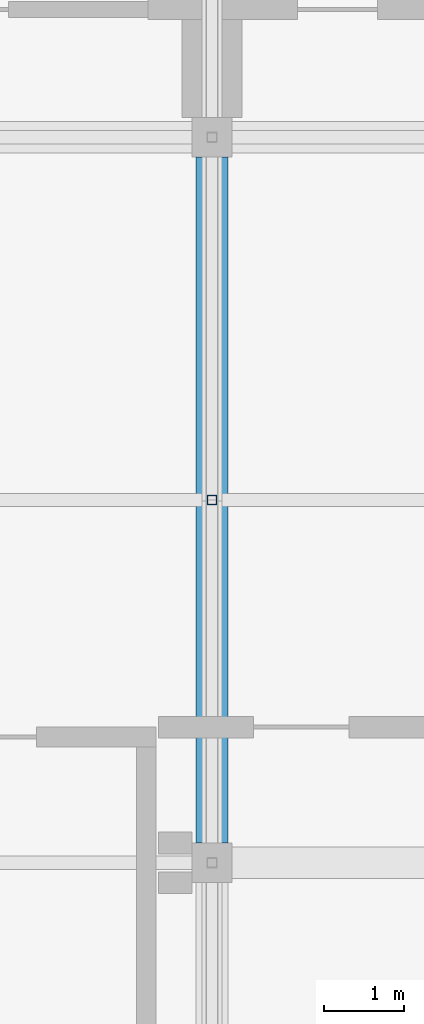
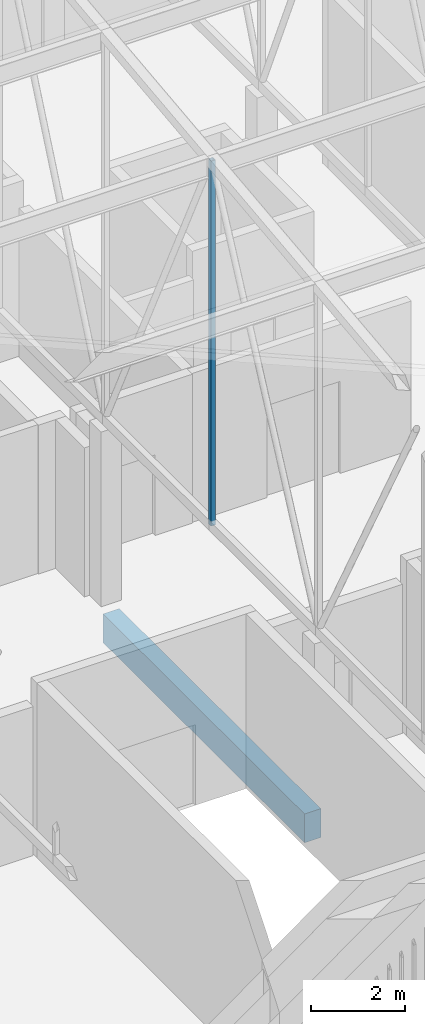
# One storey, part 123 of 500: 1 beam, 1 member.
"""IFC4 building model written with IfcOpenShell, lengths in metres."""

from ifc_helpers import new_model, si_unit, direction, frame, origin, origin_2d, place, context, subcontext, project, spatial, rectangle, hollow_rectangle, extrude, material, material_profile, profile_set, type_object, element, save


model = new_model("IFC4")

# Units and contexts
model_context = context("Model", 3, precision=1e-05, world=origin(), true_north=direction((0.0, 1.0)))
body_context = subcontext(model_context, "Body", "Model", "MODEL_VIEW")
ifc_project = project(units=[si_unit("LENGTHUNIT", "METRE"), si_unit("AREAUNIT", "SQUARE_METRE"), si_unit("VOLUMEUNIT", "CUBIC_METRE"), si_unit("PLANEANGLEUNIT", "RADIAN"), si_unit("MASSUNIT", "GRAM", prefix="KILO")], contexts=[model_context])

# Site, building, storey
site_placement = place(None, origin())
site = spatial("IfcSite", under=ifc_project, at=site_placement, CompositionType="ELEMENT")
building_placement = place(site_placement, origin())
building = spatial("IfcBuilding", under=site, at=building_placement, Name="Shirokan Park Arena", CompositionType="ELEMENT")
storey_placement = place(building_placement, frame((0.0, 0.0, 29.1201171875)))
storey = spatial("IfcBuildingStorey", under=building, at=storey_placement, Name="L06", CompositionType="ELEMENT", Elevation=29.1201171875)

# Beam
ifc_material_1 = material(Name="Concrete C35", Category="concrete")
ifc_material_profile_1 = material_profile(ifc_material_1, rectangle(XDim=0.39990234375, YDim=0.75, at=origin_2d()), Name="400x750")
ifc_profile_set_1 = profile_set([ifc_material_profile_1], Name="Concrete C35")
beam_type = type_object("IfcBeamType", Name="RC girder 400x750", PredefinedType="BEAM", material=ifc_profile_set_1)
beam_placement = place(storey_placement, frame((118.300048828125, 9.35009765625, -0.5751953125), z_axis=(0.0, 1.0, 0.0), x_axis=(-1.0, 0.0, 0.0)))
element("IfcBeam", 1, at=beam_placement, inside=storey, type_object=beam_type, Name="Girder 14B-14C L06", PredefinedType="BEAM", context=body_context, shape_type="SweptSolid", body=[
    extrude(rectangle(XDim=0.39990234375, YDim=0.75, at=origin_2d()), origin(), (0.0, 0.0, 1.0), 8.599853515625),
])

# Member
ifc_material_2 = material(Name="Steel ASTM A500 Grade C", Category="steel")
ifc_material_profile_2 = material_profile(ifc_material_2, hollow_rectangle(XDim=0.114013671875, YDim=0.114013671875, WallThickness=0.00634765625, at=origin_2d()), Name="HSS114.3X114.3X6.4")
ifc_profile_set_2 = profile_set([ifc_material_profile_2], Name="Steel ASTM A500 Grade C")
member_type = type_object("IfcMemberType", Name="Truss post HSS114.3X114.3X6.4", PredefinedType="POST", material=ifc_profile_set_2)
member_placement = place(storey_placement, frame((118.300048828125, 13.64990234375, 4.677001953125), z_axis=(0.0, 0.0, 1.0), x_axis=(1.0, 0.0, 0.0)))
element("IfcMember", 2, at=member_placement, inside=storey, type_object=member_type, Name="Truss T14 post 6", PredefinedType="POST", context=body_context, shape_type="SweptSolid", body=[
    extrude(hollow_rectangle(XDim=0.114013671875, YDim=0.114013671875, WallThickness=0.00634765625, at=origin_2d()), origin(), (0.0, 0.0, 1.0), 9.505859375),
])

save(model, "model.ifc")
